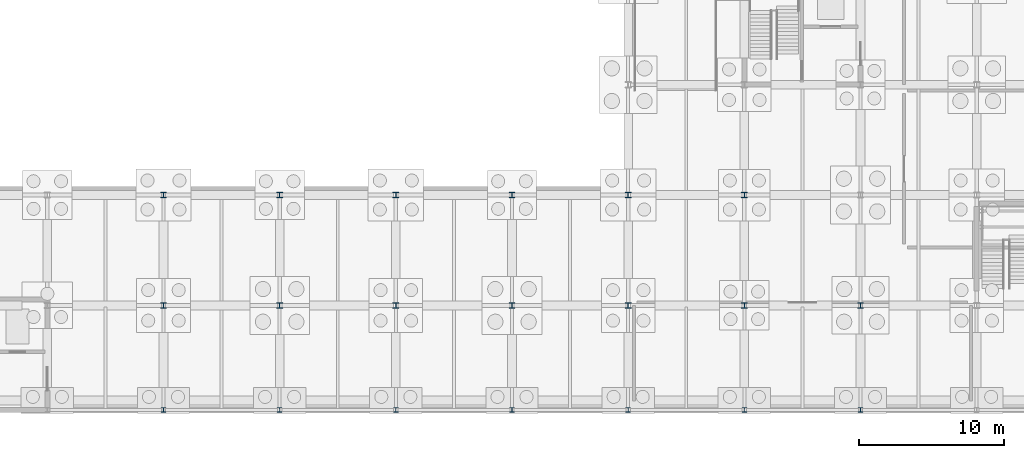
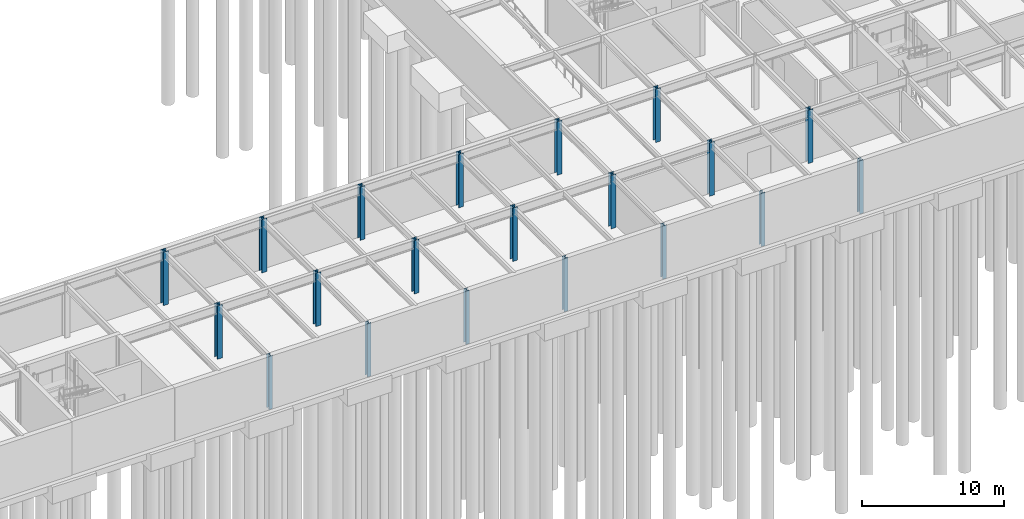
# One storey, part 6 of 21: 20 columns.
"""IFC4 building model written with IfcOpenShell, lengths in metres."""

from ifc_helpers import new_model, si_unit, direction, frame, origin, origin_2d, place, context, subcontext, project, spatial, i_section, extrude, material, material_profile, profile_set, type_object, element, save


model = new_model("IFC4")

# Units and contexts
model_context = context("Model", 3, precision=1e-05, world=origin(), true_north=direction((0.0, 1.0)))
body_context = subcontext(model_context, "Body", "Model", "MODEL_VIEW")
ifc_project = project(units=[si_unit("LENGTHUNIT", "METRE"), si_unit("AREAUNIT", "SQUARE_METRE"), si_unit("VOLUMEUNIT", "CUBIC_METRE"), si_unit("PLANEANGLEUNIT", "RADIAN"), si_unit("MASSUNIT", "GRAM", prefix="KILO")], contexts=[model_context])

# Site, building, storey
site_placement = place(None, origin())
site = spatial("IfcSite", under=ifc_project, at=site_placement, CompositionType="ELEMENT")
building_placement = place(site_placement, origin())
building = spatial("IfcBuilding", under=site, at=building_placement, Name="Zulena Civic Courthouse", CompositionType="ELEMENT")
storey_placement = place(building_placement, frame((0.0, 0.0, -4.800048828125)))
storey = spatial("IfcBuildingStorey", under=building, at=storey_placement, Name="B01", CompositionType="ELEMENT", Elevation=-4.800048828125)

# Columns
ifc_material = material(Name="Steel ASTM A992 Grade 50", Category="steel")
ifc_material_profile_1 = material_profile(ifc_material, i_section(OverallWidth=0.31298828125, OverallDepth=0.3330078125, WebThickness=0.01806640625, FlangeThickness=0.0283203125, FilletRadius=0.01513671875, at=origin_2d()), Name="W12X120")
ifc_profile_set_1 = profile_set([ifc_material_profile_1], Name="Steel ASTM A992 Grade 50")
column_type_1 = type_object("IfcColumnType", Name="Col_W12X120", PredefinedType="COLUMN", material=ifc_profile_set_1)
for number, where, z_axis, x_axis, name in (
    (1, (36.0, 46.0, 0.0), (0.0, 0.0, 1.0), (1.0, 0.0, 0.0), "col:V5:B01:36.0:46.0"),
    (2, (44.0, 46.0, 0.0), (0.0, 0.0, 1.0), (1.0, 0.0, 0.0), "col:V5:B01:44.0:46.0"),
    (3, (52.0, 46.0, 0.0), (0.0, 0.0, 1.0), (1.0, 0.0, 0.0), "col:V5:B01:52.0:46.0"),
    (4, (60.0, 46.0, 0.0), (0.0, 0.0, 1.0), (1.0, 0.0, 0.0), "col:V5:B01:60.0:46.0"),
    (5, (68.0, 46.0, 0.0), (0.0, 0.0, 1.0), (1.0, 0.0, 0.0), "col:V5:B01:68.0:46.0"),
    (6, (76.0, 46.0, 0.0), (0.0, 0.0, 1.0), (1.0, 0.0, 0.0), "col:V5:B01:76.0:46.0"),
    (7, (84.0, 46.0, 0.0), (0.0, 0.0, 1.0), (1.0, 0.0, 0.0), "col:V5:B01:84.0:46.0"),
):
    element("IfcColumn", number, at=place(storey_placement, frame(where, z_axis=z_axis, x_axis=x_axis)), inside=storey, type_object=column_type_1, Name=name, PredefinedType="COLUMN", context=body_context, shape_type="SweptSolid", body=[
        extrude(i_section(OverallWidth=0.31298828125, OverallDepth=0.3330078125, WebThickness=0.01806640625, FlangeThickness=0.0283203125, FilletRadius=0.01513671875, at=origin_2d()), origin(), (0.0, 0.0, 1.0), 4.580078125),
    ])
ifc_material_profile_2 = material_profile(ifc_material, i_section(OverallWidth=0.40087890625, OverallDepth=0.39892578125, WebThickness=0.02490234375, FlangeThickness=0.03955078125, FilletRadius=0.01513671875, at=origin_2d()), Name="W14X211")
ifc_profile_set_2 = profile_set([ifc_material_profile_2], Name="Steel ASTM A992 Grade 50")
column_type_2 = type_object("IfcColumnType", Name="Col_W14X211", PredefinedType="COLUMN", material=ifc_profile_set_2)
for number, where, z_axis, x_axis, name in (
    (8, (36.0, 53.199951171875, 0.0), (0.0, 0.0, 1.0), (1.0, 0.0, 0.0), "col:V5:B01:36.0:53.2"),
    (9, (36.0, 60.800048828125, 0.0), (0.0, 0.0, 1.0), (1.0, 0.0, 0.0), "col:V5:B01:36.0:60.8"),
    (10, (44.0, 53.199951171875, 0.0), (0.0, 0.0, 1.0), (1.0, 0.0, 0.0), "col:V5:B01:44.0:53.2"),
    (11, (44.0, 60.800048828125, 0.0), (0.0, 0.0, 1.0), (1.0, 0.0, 0.0), "col:V5:B01:44.0:60.8"),
    (12, (52.0, 53.199951171875, 0.0), (0.0, 0.0, 1.0), (1.0, 0.0, 0.0), "col:V5:B01:52.0:53.2"),
    (13, (52.0, 60.800048828125, 0.0), (0.0, 0.0, 1.0), (1.0, 0.0, 0.0), "col:V5:B01:52.0:60.8"),
    (14, (60.0, 53.199951171875, 0.0), (0.0, 0.0, 1.0), (1.0, 0.0, 0.0), "col:V5:B01:60.0:53.2"),
    (15, (60.0, 60.800048828125, 0.0), (0.0, 0.0, 1.0), (1.0, 0.0, 0.0), "col:V5:B01:60.0:60.8"),
    (16, (68.0, 53.199951171875, 0.0), (0.0, 0.0, 1.0), (1.0, 0.0, 0.0), "col:V5:B01:68.0:53.2"),
    (17, (68.0, 60.800048828125, 0.0), (0.0, 0.0, 1.0), (1.0, 0.0, 0.0), "col:V5:B01:68.0:60.8"),
    (18, (76.0, 53.199951171875, 0.0), (0.0, 0.0, 1.0), (1.0, 0.0, 0.0), "col:V5:B01:76.0:53.2"),
    (19, (76.0, 60.800048828125, 0.0), (0.0, 0.0, 1.0), (1.0, 0.0, 0.0), "col:V5:B01:76.0:60.8"),
    (20, (84.0, 53.199951171875, 0.0), (0.0, 0.0, 1.0), (1.0, 0.0, 0.0), "col:V5:B01:84.0:53.2"),
):
    element("IfcColumn", number, at=place(storey_placement, frame(where, z_axis=z_axis, x_axis=x_axis)), inside=storey, type_object=column_type_2, Name=name, PredefinedType="COLUMN", context=body_context, shape_type="SweptSolid", body=[
        extrude(i_section(OverallWidth=0.40087890625, OverallDepth=0.39892578125, WebThickness=0.02490234375, FlangeThickness=0.03955078125, FilletRadius=0.01513671875, at=origin_2d()), origin(), (0.0, 0.0, 1.0), 4.580078125),
    ])

save(model, "model.ifc")
